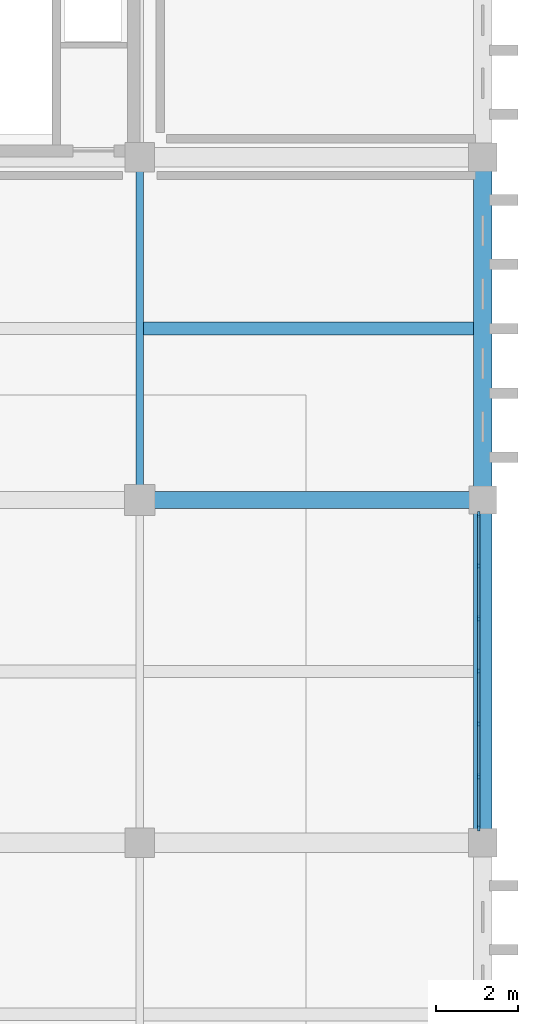
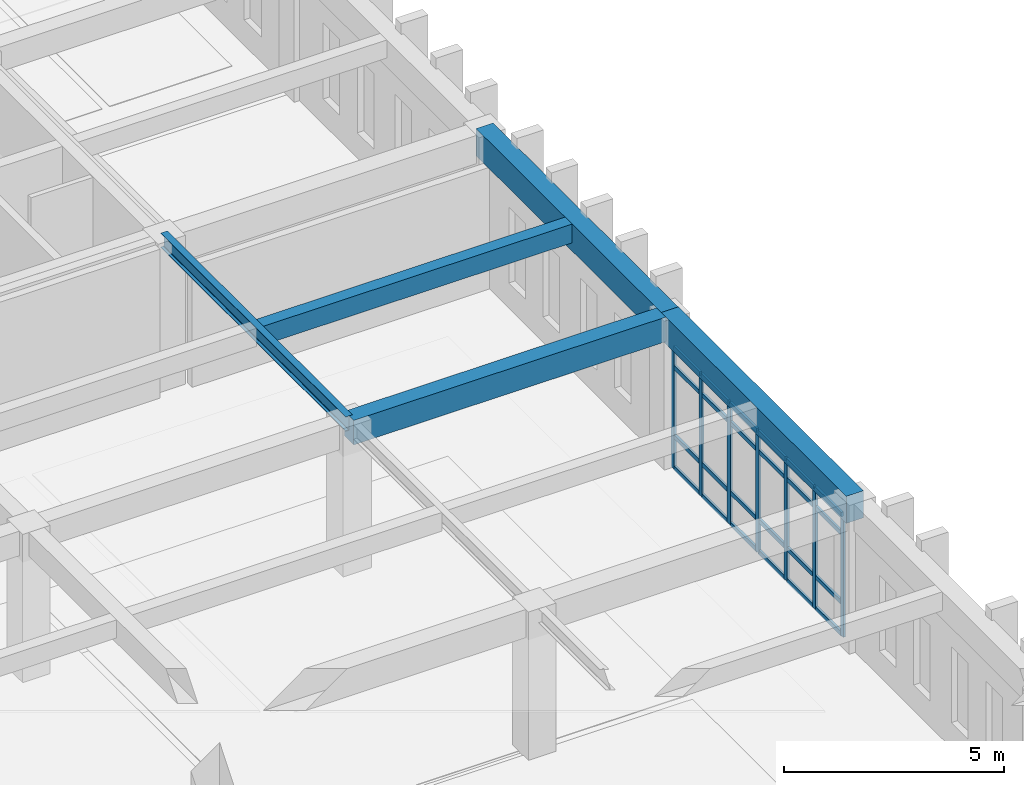
# One storey, part 103 of 192: 31 members, 5 beams, 1 element without a shape of its own.
"""IFC4 building model written with IfcOpenShell, lengths in metres."""

from ifc_helpers import new_model, si_unit, direction, frame, origin, origin_2d, place, context, subcontext, project, spatial, rectangle, i_section, extrude, material, layer, layer_set, material_profile, profile_set, type_object, element, aggregate, save


model = new_model("IFC4")

# Units and contexts
model_context = context("Model", 3, precision=1e-05, world=origin(), true_north=direction((0.0, 1.0)))
body_context = subcontext(model_context, "Body", "Model", "MODEL_VIEW")
ifc_project = project(units=[si_unit("LENGTHUNIT", "METRE"), si_unit("AREAUNIT", "SQUARE_METRE"), si_unit("VOLUMEUNIT", "CUBIC_METRE"), si_unit("PLANEANGLEUNIT", "RADIAN"), si_unit("MASSUNIT", "GRAM", prefix="KILO")], contexts=[model_context])

# Site, building, storey
site_placement = place(None, origin())
site = spatial("IfcSite", under=ifc_project, at=site_placement, CompositionType="ELEMENT")
building_placement = place(site_placement, origin())
building = spatial("IfcBuilding", under=site, at=building_placement, Name="Kveldsbrygga Polytechnic", CompositionType="ELEMENT")
storey_placement = place(building_placement, frame((0.0, 0.0, 5.43994140625)))
storey = spatial("IfcBuildingStorey", under=building, at=storey_placement, Name="L01", CompositionType="ELEMENT", Elevation=5.43994140625)

# Beams
ifc_material_1 = material(Name="Concrete C35/45", Category="concrete")
ifc_material_profile_1 = material_profile(ifc_material_1, rectangle(XDim=0.419921875, YDim=0.679931640625, at=origin_2d()), Name="RC 420x680")
ifc_profile_set_1 = profile_set([ifc_material_profile_1], Name="Concrete C35/45")
beam_type_1 = type_object("IfcBeamType", Name="BM-RC-420x680", PredefinedType="BEAM", material=ifc_profile_set_1)
beam_1_placement = place(storey_placement, frame((159.60009765625, 25.199951171875, 3.780029296875), z_axis=(1.0, 0.0, 0.0), x_axis=(0.0, 1.0, 0.0)))
element("IfcBeam", 1, at=beam_1_placement, inside=storey, type_object=beam_type_1, Name="Primary Beam BMX-L01-19to20-03", PredefinedType="BEAM", context=body_context, shape_type="SweptSolid", body=[
    extrude(rectangle(XDim=0.419921875, YDim=0.679931640625, at=origin_2d()), origin(), (0.0, 0.0, 1.0), 8.39990234375),
])
ifc_material_profile_2 = material_profile(ifc_material_1, rectangle(XDim=0.449951171875, YDim=0.75, at=origin_2d()), Name="RC 450x750")
ifc_profile_set_2 = profile_set([ifc_material_profile_2], Name="Concrete C35/45")
beam_type_2 = type_object("IfcBeamType", Name="BM-RC-450x750", PredefinedType="BEAM", material=ifc_profile_set_2)
beam_2_placement = place(storey_placement, frame((168.0, 16.800048828125, 3.7451171875), z_axis=(0.0, 1.0, 0.0), x_axis=(-1.0, 0.0, 0.0)))
element("IfcBeam", 2, at=beam_2_placement, inside=storey, type_object=beam_type_2, Name="Primary Beam BMY-L01-20-02to03", PredefinedType="BEAM", context=body_context, shape_type="SweptSolid", body=[
    extrude(rectangle(XDim=0.449951171875, YDim=0.75, at=origin_2d()), origin(), (0.0, 0.0, 1.0), 8.39990234375),
])
beam_3_placement = place(storey_placement, frame((168.0, 25.199951171875, 3.7451171875), z_axis=(0.0, 1.0, 0.0), x_axis=(-1.0, 0.0, 0.0)))
element("IfcBeam", 3, at=beam_3_placement, inside=storey, type_object=beam_type_2, Name="Primary Beam BMY-L01-20-03to04", PredefinedType="BEAM", context=body_context, shape_type="SweptSolid", body=[
    extrude(rectangle(XDim=0.449951171875, YDim=0.75, at=origin_2d()), origin(), (0.0, 0.0, 1.0), 8.400146484375),
])
ifc_material_2 = material(Name="Steel S355", Category="steel")
ifc_material_profile_3 = material_profile(ifc_material_2, i_section(OverallWidth=0.179931640625, OverallDepth=0.39990234375, WebThickness=0.008544921875, FlangeThickness=0.013427734375, FilletRadius=0.02099609375, at=origin_2d()), Name="IPE 400")
ifc_profile_set_3 = profile_set([ifc_material_profile_3], Name="Steel S355")
beam_type_3 = type_object("IfcBeamType", Name="BM-STL-IPE400", PredefinedType="BEAM", material=ifc_profile_set_3)
beam_4_placement = place(storey_placement, frame((159.60009765625, 25.199951171875, 3.920166015625), z_axis=(0.0, 1.0, 0.0), x_axis=(-1.0, 0.0, 0.0)))
element("IfcBeam", 4, at=beam_4_placement, inside=storey, type_object=beam_type_3, Name="Primary Beam BMY-L01-19-03to04", PredefinedType="BEAM", context=body_context, shape_type="SweptSolid", body=[
    extrude(i_section(OverallWidth=0.179931640625, OverallDepth=0.39990234375, WebThickness=0.008544921875, FlangeThickness=0.013427734375, FilletRadius=0.02099609375, at=origin_2d()), origin(), (0.0, 0.0, 1.0), 8.400146484375),
])

# Curtain wall, members
ifc_material_3 = material(Name="Anodised aluminium AW-6060", Category="aluminium")
ifc_layer = layer(ifc_material_3, 0.179931640625)
ifc_layer_set = layer_set([ifc_layer], Name="Anodised aluminium AW-6060")
curtain_wall_type = type_object("IfcCurtainWallType", Name="CW-CONC-A", PredefinedType="USERDEFINED", material=ifc_layer_set)
curtain_wall_placement = place(storey_placement, origin())
curtain_wall = element("IfcCurtainWall", 5, at=curtain_wall_placement, inside=storey, type_object=curtain_wall_type, Name="Curtain Wall CW-L01-Y-20-02", ObjectType="UNITISED CURTAIN WALL", PredefinedType="USERDEFINED")
ifc_material_profile_4 = material_profile(ifc_material_3, rectangle(XDim=0.06005859375, YDim=0.139892578125, at=origin_2d()), Name="ALU 60x140")
ifc_profile_set_4 = profile_set([ifc_material_profile_4], Name="Anodised aluminium AW-6060")
member_type_1 = type_object("IfcMemberType", Name="CW-MUL-140", PredefinedType="MULLION", material=ifc_profile_set_4)
member_1_placement = place(storey_placement, frame((167.89990234375, 17.1650390625, 0.0), z_axis=(0.0, 0.0, 1.0), x_axis=(-1.0, 0.0, 0.0)))
member_1 = element("IfcMember", 6, at=member_1_placement, type_object=member_type_1, Name="CW-01 mullion 1", PredefinedType="MULLION", context=body_context, shape_type="SweptSolid", body=[
    extrude(rectangle(XDim=0.06005859375, YDim=0.139892578125, at=origin_2d()), origin(), (0.0, 0.0, 1.0), 3.3701171875),
])
member_2_placement = place(storey_placement, frame((167.89990234375, 18.425048828125, 0.0), z_axis=(0.0, 0.0, 1.0), x_axis=(-1.0, 0.0, 0.0)))
member_2 = element("IfcMember", 7, at=member_2_placement, type_object=member_type_1, Name="CW-01 mullion 2", PredefinedType="MULLION", context=body_context, shape_type="SweptSolid", body=[
    extrude(rectangle(XDim=0.06005859375, YDim=0.139892578125, at=origin_2d()), origin(), (0.0, 0.0, 1.0), 3.3701171875),
])
member_3_placement = place(storey_placement, frame((167.89990234375, 19.715087890625, 0.0), z_axis=(0.0, 0.0, 1.0), x_axis=(-1.0, 0.0, 0.0)))
member_3 = element("IfcMember", 8, at=member_3_placement, type_object=member_type_1, Name="CW-01 mullion 3", PredefinedType="MULLION", context=body_context, shape_type="SweptSolid", body=[
    extrude(rectangle(XDim=0.06005859375, YDim=0.139892578125, at=origin_2d()), origin(), (0.0, 0.0, 1.0), 3.3701171875),
])
member_4_placement = place(storey_placement, frame((167.89990234375, 21.0048828125, 0.0), z_axis=(0.0, 0.0, 1.0), x_axis=(-1.0, 0.0, 0.0)))
member_4 = element("IfcMember", 9, at=member_4_placement, type_object=member_type_1, Name="CW-01 mullion 4", PredefinedType="MULLION", context=body_context, shape_type="SweptSolid", body=[
    extrude(rectangle(XDim=0.06005859375, YDim=0.139892578125, at=origin_2d()), origin(), (0.0, 0.0, 1.0), 3.3701171875),
])
member_5_placement = place(storey_placement, frame((167.89990234375, 22.294921875, 0.0), z_axis=(0.0, 0.0, 1.0), x_axis=(-1.0, 0.0, 0.0)))
member_5 = element("IfcMember", 10, at=member_5_placement, type_object=member_type_1, Name="CW-01 mullion 5", PredefinedType="MULLION", context=body_context, shape_type="SweptSolid", body=[
    extrude(rectangle(XDim=0.06005859375, YDim=0.139892578125, at=origin_2d()), origin(), (0.0, 0.0, 1.0), 3.3701171875),
])
member_6_placement = place(storey_placement, frame((167.89990234375, 23.5849609375, 0.0), z_axis=(0.0, 0.0, 1.0), x_axis=(-1.0, 0.0, 0.0)))
member_6 = element("IfcMember", 11, at=member_6_placement, type_object=member_type_1, Name="CW-01 mullion 6", PredefinedType="MULLION", context=body_context, shape_type="SweptSolid", body=[
    extrude(rectangle(XDim=0.06005859375, YDim=0.139892578125, at=origin_2d()), origin(), (0.0, 0.0, 1.0), 3.3701171875),
])
member_7_placement = place(storey_placement, frame((167.89990234375, 24.844970703125, 0.0), z_axis=(0.0, 0.0, 1.0), x_axis=(-1.0, 0.0, 0.0)))
member_7 = element("IfcMember", 12, at=member_7_placement, type_object=member_type_1, Name="CW-01 mullion 7", PredefinedType="MULLION", context=body_context, shape_type="SweptSolid", body=[
    extrude(rectangle(XDim=0.06005859375, YDim=0.139892578125, at=origin_2d()), origin(), (0.0, 0.0, 1.0), 3.3701171875),
])
ifc_material_profile_5 = material_profile(ifc_material_3, rectangle(XDim=0.06005859375, YDim=0.1201171875, at=origin_2d()), Name="ALU 60x120")
ifc_profile_set_5 = profile_set([ifc_material_profile_5], Name="Anodised aluminium AW-6060")
member_type_2 = type_object("IfcMemberType", Name="CW-TRN-120", PredefinedType="USERDEFINED", material=ifc_profile_set_5)
member_8_placement = place(storey_placement, frame((167.89990234375, 17.195068359375, 0.030029296875), z_axis=(0.0, 1.0, 0.0), x_axis=(-1.0, 0.0, 0.0)))
member_8 = element("IfcMember", 13, at=member_8_placement, type_object=member_type_2, Name="CW-01 transom 1.1", ObjectType="TRANSOM", PredefinedType="USERDEFINED", context=body_context, shape_type="SweptSolid", body=[
    extrude(rectangle(XDim=0.06005859375, YDim=0.1201171875, at=origin_2d()), origin(), (0.0, 0.0, 1.0), 1.199951171875),
])
member_9_placement = place(storey_placement, frame((167.89990234375, 17.195068359375, 0.900146484375), z_axis=(0.0, 1.0, 0.0), x_axis=(-1.0, 0.0, 0.0)))
member_9 = element("IfcMember", 14, at=member_9_placement, type_object=member_type_2, Name="CW-01 transom 1.2", ObjectType="TRANSOM", PredefinedType="USERDEFINED", context=body_context, shape_type="SweptSolid", body=[
    extrude(rectangle(XDim=0.06005859375, YDim=0.1201171875, at=origin_2d()), origin(), (0.0, 0.0, 1.0), 1.199951171875),
])
member_10_placement = place(storey_placement, frame((167.89990234375, 17.195068359375, 2.820068359375), z_axis=(0.0, 1.0, 0.0), x_axis=(-1.0, 0.0, 0.0)))
member_10 = element("IfcMember", 15, at=member_10_placement, type_object=member_type_2, Name="CW-01 transom 1.3", ObjectType="TRANSOM", PredefinedType="USERDEFINED", context=body_context, shape_type="SweptSolid", body=[
    extrude(rectangle(XDim=0.06005859375, YDim=0.1201171875, at=origin_2d()), origin(), (0.0, 0.0, 1.0), 1.199951171875),
])
member_11_placement = place(storey_placement, frame((167.89990234375, 17.195068359375, 3.340087890625), z_axis=(0.0, 1.0, 0.0), x_axis=(-1.0, 0.0, 0.0)))
member_11 = element("IfcMember", 16, at=member_11_placement, type_object=member_type_2, Name="CW-01 transom 1.4", ObjectType="TRANSOM", PredefinedType="USERDEFINED", context=body_context, shape_type="SweptSolid", body=[
    extrude(rectangle(XDim=0.06005859375, YDim=0.1201171875, at=origin_2d()), origin(), (0.0, 0.0, 1.0), 1.199951171875),
])
member_12_placement = place(storey_placement, frame((167.89990234375, 18.455078125, 0.030029296875), z_axis=(0.0, 1.0, 0.0), x_axis=(-1.0, 0.0, 0.0)))
member_12 = element("IfcMember", 17, at=member_12_placement, type_object=member_type_2, Name="CW-01 transom 2.1", ObjectType="TRANSOM", PredefinedType="USERDEFINED", context=body_context, shape_type="SweptSolid", body=[
    extrude(rectangle(XDim=0.06005859375, YDim=0.1201171875, at=origin_2d()), origin(), (0.0, 0.0, 1.0), 1.22998046875),
])
member_13_placement = place(storey_placement, frame((167.89990234375, 18.455078125, 0.900146484375), z_axis=(0.0, 1.0, 0.0), x_axis=(-1.0, 0.0, 0.0)))
member_13 = element("IfcMember", 18, at=member_13_placement, type_object=member_type_2, Name="CW-01 transom 2.2", ObjectType="TRANSOM", PredefinedType="USERDEFINED", context=body_context, shape_type="SweptSolid", body=[
    extrude(rectangle(XDim=0.06005859375, YDim=0.1201171875, at=origin_2d()), origin(), (0.0, 0.0, 1.0), 1.22998046875),
])
member_14_placement = place(storey_placement, frame((167.89990234375, 18.455078125, 2.820068359375), z_axis=(0.0, 1.0, 0.0), x_axis=(-1.0, 0.0, 0.0)))
member_14 = element("IfcMember", 19, at=member_14_placement, type_object=member_type_2, Name="CW-01 transom 2.3", ObjectType="TRANSOM", PredefinedType="USERDEFINED", context=body_context, shape_type="SweptSolid", body=[
    extrude(rectangle(XDim=0.06005859375, YDim=0.1201171875, at=origin_2d()), origin(), (0.0, 0.0, 1.0), 1.22998046875),
])
member_15_placement = place(storey_placement, frame((167.89990234375, 18.455078125, 3.340087890625), z_axis=(0.0, 1.0, 0.0), x_axis=(-1.0, 0.0, 0.0)))
member_15 = element("IfcMember", 20, at=member_15_placement, type_object=member_type_2, Name="CW-01 transom 2.4", ObjectType="TRANSOM", PredefinedType="USERDEFINED", context=body_context, shape_type="SweptSolid", body=[
    extrude(rectangle(XDim=0.06005859375, YDim=0.1201171875, at=origin_2d()), origin(), (0.0, 0.0, 1.0), 1.22998046875),
])
member_16_placement = place(storey_placement, frame((167.89990234375, 19.7451171875, 0.030029296875), z_axis=(0.0, 1.0, 0.0), x_axis=(-1.0, 0.0, 0.0)))
member_16 = element("IfcMember", 21, at=member_16_placement, type_object=member_type_2, Name="CW-01 transom 3.1", ObjectType="TRANSOM", PredefinedType="USERDEFINED", context=body_context, shape_type="SweptSolid", body=[
    extrude(rectangle(XDim=0.06005859375, YDim=0.1201171875, at=origin_2d()), origin(), (0.0, 0.0, 1.0), 1.22998046875),
])
member_17_placement = place(storey_placement, frame((167.89990234375, 19.7451171875, 0.900146484375), z_axis=(0.0, 1.0, 0.0), x_axis=(-1.0, 0.0, 0.0)))
member_17 = element("IfcMember", 22, at=member_17_placement, type_object=member_type_2, Name="CW-01 transom 3.2", ObjectType="TRANSOM", PredefinedType="USERDEFINED", context=body_context, shape_type="SweptSolid", body=[
    extrude(rectangle(XDim=0.06005859375, YDim=0.1201171875, at=origin_2d()), origin(), (0.0, 0.0, 1.0), 1.22998046875),
])
member_18_placement = place(storey_placement, frame((167.89990234375, 19.7451171875, 2.820068359375), z_axis=(0.0, 1.0, 0.0), x_axis=(-1.0, 0.0, 0.0)))
member_18 = element("IfcMember", 23, at=member_18_placement, type_object=member_type_2, Name="CW-01 transom 3.3", ObjectType="TRANSOM", PredefinedType="USERDEFINED", context=body_context, shape_type="SweptSolid", body=[
    extrude(rectangle(XDim=0.06005859375, YDim=0.1201171875, at=origin_2d()), origin(), (0.0, 0.0, 1.0), 1.22998046875),
])
member_19_placement = place(storey_placement, frame((167.89990234375, 19.7451171875, 3.340087890625), z_axis=(0.0, 1.0, 0.0), x_axis=(-1.0, 0.0, 0.0)))
member_19 = element("IfcMember", 24, at=member_19_placement, type_object=member_type_2, Name="CW-01 transom 3.4", ObjectType="TRANSOM", PredefinedType="USERDEFINED", context=body_context, shape_type="SweptSolid", body=[
    extrude(rectangle(XDim=0.06005859375, YDim=0.1201171875, at=origin_2d()), origin(), (0.0, 0.0, 1.0), 1.22998046875),
])
member_20_placement = place(storey_placement, frame((167.89990234375, 21.034912109375, 0.030029296875), z_axis=(0.0, 1.0, 0.0), x_axis=(-1.0, 0.0, 0.0)))
member_20 = element("IfcMember", 25, at=member_20_placement, type_object=member_type_2, Name="CW-01 transom 4.1", ObjectType="TRANSOM", PredefinedType="USERDEFINED", context=body_context, shape_type="SweptSolid", body=[
    extrude(rectangle(XDim=0.06005859375, YDim=0.1201171875, at=origin_2d()), origin(), (0.0, 0.0, 1.0), 1.22998046875),
])
member_21_placement = place(storey_placement, frame((167.89990234375, 21.034912109375, 0.900146484375), z_axis=(0.0, 1.0, 0.0), x_axis=(-1.0, 0.0, 0.0)))
member_21 = element("IfcMember", 26, at=member_21_placement, type_object=member_type_2, Name="CW-01 transom 4.2", ObjectType="TRANSOM", PredefinedType="USERDEFINED", context=body_context, shape_type="SweptSolid", body=[
    extrude(rectangle(XDim=0.06005859375, YDim=0.1201171875, at=origin_2d()), origin(), (0.0, 0.0, 1.0), 1.22998046875),
])
member_22_placement = place(storey_placement, frame((167.89990234375, 21.034912109375, 2.820068359375), z_axis=(0.0, 1.0, 0.0), x_axis=(-1.0, 0.0, 0.0)))
member_22 = element("IfcMember", 27, at=member_22_placement, type_object=member_type_2, Name="CW-01 transom 4.3", ObjectType="TRANSOM", PredefinedType="USERDEFINED", context=body_context, shape_type="SweptSolid", body=[
    extrude(rectangle(XDim=0.06005859375, YDim=0.1201171875, at=origin_2d()), origin(), (0.0, 0.0, 1.0), 1.22998046875),
])
member_23_placement = place(storey_placement, frame((167.89990234375, 21.034912109375, 3.340087890625), z_axis=(0.0, 1.0, 0.0), x_axis=(-1.0, 0.0, 0.0)))
member_23 = element("IfcMember", 28, at=member_23_placement, type_object=member_type_2, Name="CW-01 transom 4.4", ObjectType="TRANSOM", PredefinedType="USERDEFINED", context=body_context, shape_type="SweptSolid", body=[
    extrude(rectangle(XDim=0.06005859375, YDim=0.1201171875, at=origin_2d()), origin(), (0.0, 0.0, 1.0), 1.22998046875),
])
member_24_placement = place(storey_placement, frame((167.89990234375, 22.324951171875, 0.030029296875), z_axis=(0.0, 1.0, 0.0), x_axis=(-1.0, 0.0, 0.0)))
member_24 = element("IfcMember", 29, at=member_24_placement, type_object=member_type_2, Name="CW-01 transom 5.1", ObjectType="TRANSOM", PredefinedType="USERDEFINED", context=body_context, shape_type="SweptSolid", body=[
    extrude(rectangle(XDim=0.06005859375, YDim=0.1201171875, at=origin_2d()), origin(), (0.0, 0.0, 1.0), 1.22998046875),
])
member_25_placement = place(storey_placement, frame((167.89990234375, 22.324951171875, 0.900146484375), z_axis=(0.0, 1.0, 0.0), x_axis=(-1.0, 0.0, 0.0)))
member_25 = element("IfcMember", 30, at=member_25_placement, type_object=member_type_2, Name="CW-01 transom 5.2", ObjectType="TRANSOM", PredefinedType="USERDEFINED", context=body_context, shape_type="SweptSolid", body=[
    extrude(rectangle(XDim=0.06005859375, YDim=0.1201171875, at=origin_2d()), origin(), (0.0, 0.0, 1.0), 1.22998046875),
])
member_26_placement = place(storey_placement, frame((167.89990234375, 22.324951171875, 2.820068359375), z_axis=(0.0, 1.0, 0.0), x_axis=(-1.0, 0.0, 0.0)))
member_26 = element("IfcMember", 31, at=member_26_placement, type_object=member_type_2, Name="CW-01 transom 5.3", ObjectType="TRANSOM", PredefinedType="USERDEFINED", context=body_context, shape_type="SweptSolid", body=[
    extrude(rectangle(XDim=0.06005859375, YDim=0.1201171875, at=origin_2d()), origin(), (0.0, 0.0, 1.0), 1.22998046875),
])
member_27_placement = place(storey_placement, frame((167.89990234375, 22.324951171875, 3.340087890625), z_axis=(0.0, 1.0, 0.0), x_axis=(-1.0, 0.0, 0.0)))
member_27 = element("IfcMember", 32, at=member_27_placement, type_object=member_type_2, Name="CW-01 transom 5.4", ObjectType="TRANSOM", PredefinedType="USERDEFINED", context=body_context, shape_type="SweptSolid", body=[
    extrude(rectangle(XDim=0.06005859375, YDim=0.1201171875, at=origin_2d()), origin(), (0.0, 0.0, 1.0), 1.22998046875),
])
member_28_placement = place(storey_placement, frame((167.89990234375, 23.614990234375, 0.030029296875), z_axis=(0.0, 1.0, 0.0), x_axis=(-1.0, 0.0, 0.0)))
member_28 = element("IfcMember", 33, at=member_28_placement, type_object=member_type_2, Name="CW-01 transom 6.1", ObjectType="TRANSOM", PredefinedType="USERDEFINED", context=body_context, shape_type="SweptSolid", body=[
    extrude(rectangle(XDim=0.06005859375, YDim=0.1201171875, at=origin_2d()), origin(), (0.0, 0.0, 1.0), 1.199951171875),
])
member_29_placement = place(storey_placement, frame((167.89990234375, 23.614990234375, 0.900146484375), z_axis=(0.0, 1.0, 0.0), x_axis=(-1.0, 0.0, 0.0)))
member_29 = element("IfcMember", 34, at=member_29_placement, type_object=member_type_2, Name="CW-01 transom 6.2", ObjectType="TRANSOM", PredefinedType="USERDEFINED", context=body_context, shape_type="SweptSolid", body=[
    extrude(rectangle(XDim=0.06005859375, YDim=0.1201171875, at=origin_2d()), origin(), (0.0, 0.0, 1.0), 1.199951171875),
])
member_30_placement = place(storey_placement, frame((167.89990234375, 23.614990234375, 2.820068359375), z_axis=(0.0, 1.0, 0.0), x_axis=(-1.0, 0.0, 0.0)))
member_30 = element("IfcMember", 35, at=member_30_placement, type_object=member_type_2, Name="CW-01 transom 6.3", ObjectType="TRANSOM", PredefinedType="USERDEFINED", context=body_context, shape_type="SweptSolid", body=[
    extrude(rectangle(XDim=0.06005859375, YDim=0.1201171875, at=origin_2d()), origin(), (0.0, 0.0, 1.0), 1.199951171875),
])
member_31_placement = place(storey_placement, frame((167.89990234375, 23.614990234375, 3.340087890625), z_axis=(0.0, 1.0, 0.0), x_axis=(-1.0, 0.0, 0.0)))
member_31 = element("IfcMember", 36, at=member_31_placement, type_object=member_type_2, Name="CW-01 transom 6.4", ObjectType="TRANSOM", PredefinedType="USERDEFINED", context=body_context, shape_type="SweptSolid", body=[
    extrude(rectangle(XDim=0.06005859375, YDim=0.1201171875, at=origin_2d()), origin(), (0.0, 0.0, 1.0), 1.199951171875),
])
aggregate(curtain_wall, [member_1, member_2, member_3, member_4, member_5, member_6, member_7, member_8, member_9, member_10, member_11, member_12, member_13, member_14, member_15, member_16, member_17, member_18, member_19, member_20, member_21, member_22, member_23, member_24, member_25, member_26, member_27, member_28, member_29, member_30, member_31])

# Beam
ifc_material_profile_6 = material_profile(ifc_material_1, rectangle(XDim=0.320068359375, YDim=0.52001953125, at=origin_2d()), Name="RC 320x520")
ifc_profile_set_6 = profile_set([ifc_material_profile_6], Name="Concrete C35/45")
beam_type_4 = type_object("IfcBeamType", Name="JST-RC-320x520", PredefinedType="JOIST", material=ifc_profile_set_6)
beam_5_placement = place(storey_placement, frame((159.68994140625, 29.39990234375, 3.860107421875), z_axis=(1.0, 0.0, 0.0), x_axis=(0.0, 1.0, 0.0)))
element("IfcBeam", 37, at=beam_5_placement, inside=storey, type_object=beam_type_4, Name="Secondary Joist JST-L01-19-03", PredefinedType="JOIST", context=body_context, shape_type="SweptSolid", body=[
    extrude(rectangle(XDim=0.320068359375, YDim=0.52001953125, at=origin_2d()), origin(), (0.0, 0.0, 1.0), 8.0849609375),
])

save(model, "model.ifc")
